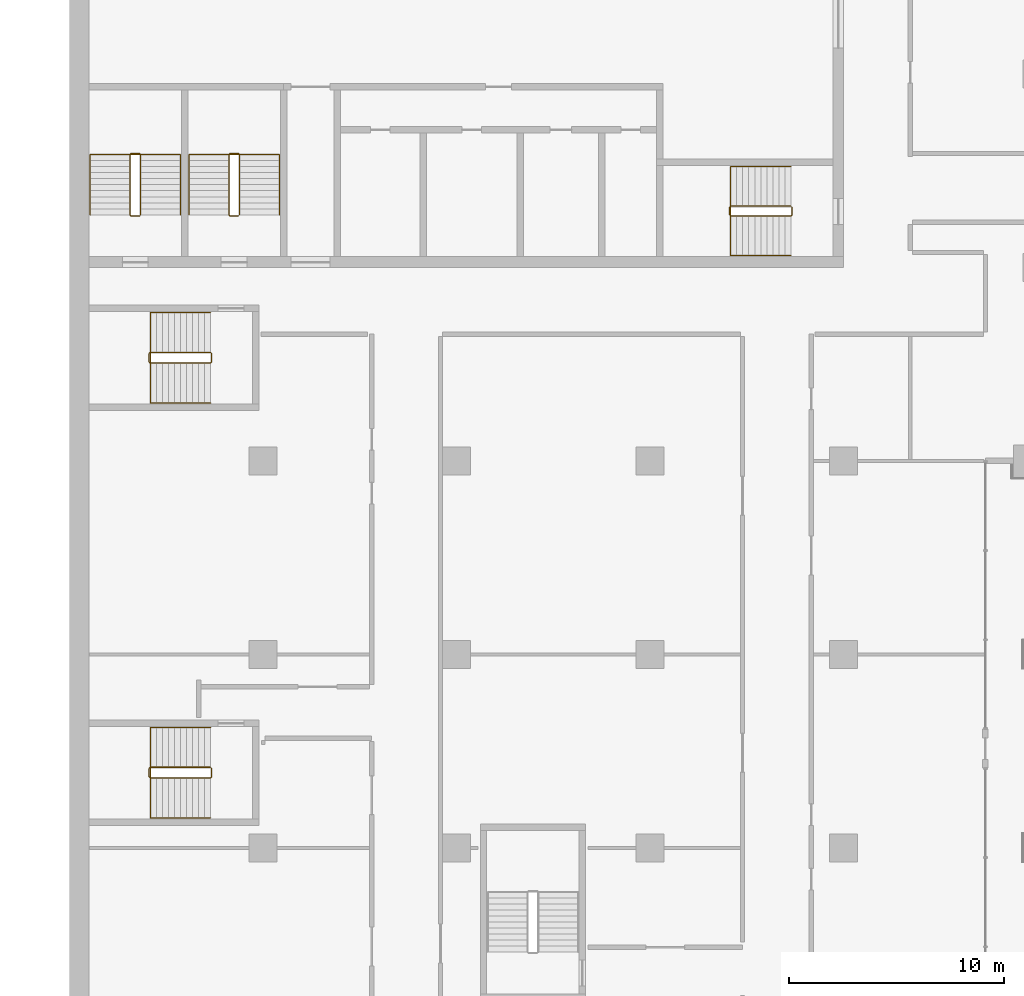
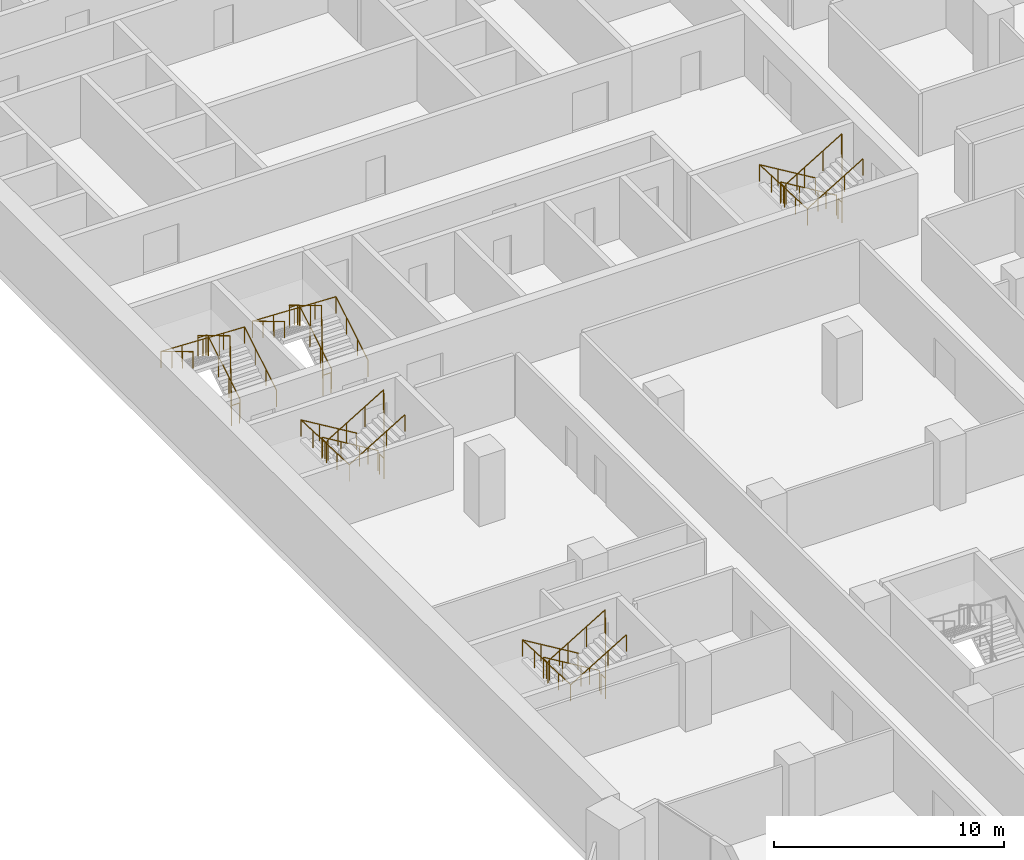
# One storey, part 21 of 23: 10 railings.
"""IFC4 building model written with IfcOpenShell, lengths in metres."""

from ifc_helpers import new_model, si_unit, direction, frame, origin, origin_2d, place, context, subcontext, project, spatial, circle, extrude, material, type_object, element, save


model = new_model("IFC4")

# Units and contexts
model_context = context("Model", 3, precision=1e-05, world=origin(), true_north=direction((0.0, 1.0)))
body_context = subcontext(model_context, "Body", "Model", "MODEL_VIEW")
ifc_project = project(units=[si_unit("LENGTHUNIT", "METRE"), si_unit("AREAUNIT", "SQUARE_METRE"), si_unit("VOLUMEUNIT", "CUBIC_METRE"), si_unit("PLANEANGLEUNIT", "RADIAN"), si_unit("MASSUNIT", "GRAM", prefix="KILO")], contexts=[model_context])

# Site, building, storey
site_placement = place(None, origin())
site = spatial("IfcSite", under=ifc_project, at=site_placement, CompositionType="ELEMENT")
building_placement = place(site_placement, origin())
building = spatial("IfcBuilding", under=site, at=building_placement, Name="Hunhe Ridgeline Campus", CompositionType="ELEMENT")
storey_placement = place(building_placement, frame((0.0, 0.0, 107.0)))
storey = spatial("IfcBuildingStorey", under=building, at=storey_placement, Name="L26", CompositionType="ELEMENT", Elevation=107.0)

# Railings
ifc_material_1 = material(Name="Stainless steel balustrade", Category="steel")
railing_type_1 = type_object("IfcRailingType", Name="Stair guard 1100 stainless", PredefinedType="GUARDRAIL", material=ifc_material_1)
railing_1_placement = place(storey_placement, frame((33.550048828125, 65.85009765625, 0.168212890625)))
element("IfcRailing", 1, at=railing_1_placement, inside=storey, type_object=railing_type_1, Name="L26 stair S2 guard", PredefinedType="GUARDRAIL", context=body_context, shape_type="SweptSolid", body=[
    extrude(circle(Radius=0.02392578125, at=origin_2d()), frame((0.0, 0.0, 1.076171875), z_axis=(-0.857242210791, 0.0, 0.514913383045), x_axis=(0.0, -1.0, 0.0)), (0.0, 0.0, 1.0), 3.266357421875),
    extrude(circle(Radius=0.02392578125, at=origin_2d()), frame((-2.800048828125, 0.0, 2.7578125), z_axis=(-0.707106781187, -0.707106781187, 0.0), x_axis=(0.707106781187, -0.707106781187, 0.0)), (0.0, 0.0, 1.0), 0.07080078125),
    extrude(circle(Radius=0.02392578125, at=origin_2d()), frame((-2.85009765625, -0.050048828125, 2.7578125), z_axis=(0.0, -1.0, 0.0), x_axis=(1.0, 0.0, 0.0)), (0.0, 0.0, 1.0), 0.35009765625),
    extrude(circle(Radius=0.02392578125, at=origin_2d()), frame((-2.85009765625, -0.400146484375, 2.7578125), z_axis=(0.274582412415, -0.274582412415, 0.921525364591), x_axis=(0.707106781187, 0.707106781187, 0.0)), (0.0, 0.0, 1.0), 0.182373046875),
    extrude(circle(Radius=0.02392578125, at=origin_2d()), frame((-2.800048828125, -0.4501953125, 2.92578125), z_axis=(0.857242210791, 0.0, 0.514913383045), x_axis=(0.0, 1.0, 0.0)), (0.0, 0.0, 1.0), 3.266357421875),
    extrude(circle(Radius=0.02392578125, at=origin_2d()), frame((0.0, -0.4501953125, 4.60791015625), z_axis=(0.013524414389, 0.013524414389, -0.999817073484), x_axis=(-0.707106781187, 0.707106781187, 0.0)), (0.0, 0.0, 1.0), 3.70068359375),
    extrude(circle(Radius=0.02392578125, at=origin_2d()), frame((0.050048828125, -0.400146484375, 0.90771484375), z_axis=(0.0, 1.0, 0.0), x_axis=(-1.0, 0.0, 0.0)), (0.0, 0.0, 1.0), 0.35009765625),
    extrude(circle(Radius=0.02099609375, at=origin_2d()), origin(), (0.0, 0.0, 1.0), 1.052001953125),
    extrude(circle(Radius=0.02099609375, at=origin_2d()), frame((-0.933349609375, 0.0, 0.560546875)), (0.0, 0.0, 1.0), 1.052001953125),
    extrude(circle(Radius=0.02099609375, at=origin_2d()), frame((-1.86669921875, 0.0, 1.121337890625)), (0.0, 0.0, 1.0), 1.052001953125),
    extrude(circle(Radius=0.02099609375, at=origin_2d()), frame((-2.800048828125, 0.0, 1.681884765625)), (0.0, 0.0, 1.0), 1.052001953125),
    extrude(circle(Radius=0.02099609375, at=origin_2d()), frame((-2.85009765625, -0.050048828125, 1.681884765625)), (0.0, 0.0, 1.0), 1.052001953125),
    extrude(circle(Radius=0.02099609375, at=origin_2d()), frame((-2.85009765625, -0.400146484375, 1.681884765625)), (0.0, 0.0, 1.0), 1.052001953125),
    extrude(circle(Radius=0.02099609375, at=origin_2d()), frame((-2.800048828125, -0.4501953125, 1.849853515625)), (0.0, 0.0, 1.0), 1.052001953125),
    extrude(circle(Radius=0.02099609375, at=origin_2d()), frame((-1.86669921875, -0.4501953125, 2.410400390625)), (0.0, 0.0, 1.0), 1.052001953125),
    extrude(circle(Radius=0.02099609375, at=origin_2d()), frame((-0.933349609375, -0.4501953125, 2.97119140625)), (0.0, 0.0, 1.0), 1.052001953125),
    extrude(circle(Radius=0.02099609375, at=origin_2d()), frame((0.0, -0.4501953125, 3.53173828125)), (0.0, 0.0, 1.0), 1.052001953125),
    extrude(circle(Radius=0.02099609375, at=origin_2d()), frame((0.012451171875, -0.437744140625, 2.606689453125)), (0.0, 0.0, 1.0), 1.052001953125),
    extrude(circle(Radius=0.02099609375, at=origin_2d()), frame((0.02490234375, -0.42529296875, 1.681640625)), (0.0, 0.0, 1.0), 1.052001953125),
    extrude(circle(Radius=0.02099609375, at=origin_2d()), frame((0.03759765625, -0.41259765625, 0.7568359375)), (0.0, 0.0, 1.0), 1.052001953125),
    extrude(circle(Radius=0.02099609375, at=origin_2d()), frame((0.050048828125, -0.400146484375, -0.168212890625)), (0.0, 0.0, 1.0), 1.052001953125),
    extrude(circle(Radius=0.02099609375, at=origin_2d()), frame((0.050048828125, -0.050048828125, -0.168212890625)), (0.0, 0.0, 1.0), 1.052001953125),
])
railing_2_placement = place(storey_placement, frame((3.300048828125, 65.449951171875, 0.168212890625)))
element("IfcRailing", 2, at=railing_2_placement, inside=storey, type_object=railing_type_1, Name="L26 stair S3 guard", PredefinedType="GUARDRAIL", context=body_context, shape_type="SweptSolid", body=[
    extrude(circle(Radius=0.02392578125, at=origin_2d()), frame((0.0, 0.0, 1.076171875), z_axis=(0.0, 0.857242210791, 0.514913383045), x_axis=(-1.0, 0.0, 0.0)), (0.0, 0.0, 1.0), 3.266357421875),
    extrude(circle(Radius=0.02392578125, at=origin_2d()), frame((0.0, 2.800048828125, 2.7578125), z_axis=(-0.707106781187, 0.707106781187, 0.0), x_axis=(-0.707106781187, -0.707106781187, 0.0)), (0.0, 0.0, 1.0), 0.07080078125),
    extrude(circle(Radius=0.02392578125, at=origin_2d()), frame((-0.050048828125, 2.85009765625, 2.7578125), z_axis=(-1.0, 0.0, 0.0), x_axis=(0.0, -1.0, 0.0)), (0.0, 0.0, 1.0), 0.39990234375),
    extrude(circle(Radius=0.02392578125, at=origin_2d()), frame((-0.449951171875, 2.85009765625, 2.7578125), z_axis=(-0.274582412415, -0.274582412415, 0.921525364591), x_axis=(0.707106781187, -0.707106781187, 0.0)), (0.0, 0.0, 1.0), 0.182373046875),
    extrude(circle(Radius=0.02392578125, at=origin_2d()), frame((-0.5, 2.800048828125, 2.92578125), z_axis=(0.0, -0.857242210791, 0.514913383045), x_axis=(1.0, 0.0, 0.0)), (0.0, 0.0, 1.0), 3.266357421875),
    extrude(circle(Radius=0.02392578125, at=origin_2d()), frame((-0.5, 0.0, 4.60791015625), z_axis=(0.013524414389, -0.013524414389, -0.999817073484), x_axis=(0.707106781187, 0.707106781187, 0.0)), (0.0, 0.0, 1.0), 3.70068359375),
    extrude(circle(Radius=0.02392578125, at=origin_2d()), frame((-0.449951171875, -0.050048828125, 0.90771484375), z_axis=(1.0, 0.0, 0.0), x_axis=(0.0, 1.0, 0.0)), (0.0, 0.0, 1.0), 0.39990234375),
    extrude(circle(Radius=0.02099609375, at=origin_2d()), origin(), (0.0, 0.0, 1.0), 1.052001953125),
    extrude(circle(Radius=0.02099609375, at=origin_2d()), frame((0.0, 0.933349609375, 0.560546875)), (0.0, 0.0, 1.0), 1.052001953125),
    extrude(circle(Radius=0.02099609375, at=origin_2d()), frame((0.0, 1.86669921875, 1.121337890625)), (0.0, 0.0, 1.0), 1.052001953125),
    extrude(circle(Radius=0.02099609375, at=origin_2d()), frame((0.0, 2.800048828125, 1.681884765625)), (0.0, 0.0, 1.0), 1.052001953125),
    extrude(circle(Radius=0.02099609375, at=origin_2d()), frame((-0.050048828125, 2.85009765625, 1.681884765625)), (0.0, 0.0, 1.0), 1.052001953125),
    extrude(circle(Radius=0.02099609375, at=origin_2d()), frame((-0.449951171875, 2.85009765625, 1.681884765625)), (0.0, 0.0, 1.0), 1.052001953125),
    extrude(circle(Radius=0.02099609375, at=origin_2d()), frame((-0.5, 2.800048828125, 1.849853515625)), (0.0, 0.0, 1.0), 1.052001953125),
    extrude(circle(Radius=0.02099609375, at=origin_2d()), frame((-0.5, 1.86669921875, 2.410400390625)), (0.0, 0.0, 1.0), 1.052001953125),
    extrude(circle(Radius=0.02099609375, at=origin_2d()), frame((-0.5, 0.933349609375, 2.97119140625)), (0.0, 0.0, 1.0), 1.052001953125),
    extrude(circle(Radius=0.02099609375, at=origin_2d()), frame((-0.5, 0.0, 3.53173828125)), (0.0, 0.0, 1.0), 1.052001953125),
    extrude(circle(Radius=0.02099609375, at=origin_2d()), frame((-0.487548828125, -0.012451171875, 2.606689453125)), (0.0, 0.0, 1.0), 1.052001953125),
    extrude(circle(Radius=0.02099609375, at=origin_2d()), frame((-0.47509765625, -0.02490234375, 1.681640625)), (0.0, 0.0, 1.0), 1.052001953125),
    extrude(circle(Radius=0.02099609375, at=origin_2d()), frame((-0.46240234375, -0.03759765625, 0.7568359375)), (0.0, 0.0, 1.0), 1.052001953125),
    extrude(circle(Radius=0.02099609375, at=origin_2d()), frame((-0.449951171875, -0.050048828125, -0.168212890625)), (0.0, 0.0, 1.0), 1.052001953125),
    extrude(circle(Radius=0.02099609375, at=origin_2d()), frame((-0.050048828125, -0.050048828125, -0.168212890625)), (0.0, 0.0, 1.0), 1.052001953125),
])
railing_3_placement = place(storey_placement, frame((7.89990234375, 65.449951171875, 0.168212890625)))
element("IfcRailing", 3, at=railing_3_placement, inside=storey, type_object=railing_type_1, Name="L26 stair S4 guard", PredefinedType="GUARDRAIL", context=body_context, shape_type="SweptSolid", body=[
    extrude(circle(Radius=0.02392578125, at=origin_2d()), frame((0.0, 0.0, 1.076171875), z_axis=(0.0, 0.857242210791, 0.514913383045), x_axis=(-1.0, 0.0, 0.0)), (0.0, 0.0, 1.0), 3.266357421875),
    extrude(circle(Radius=0.02392578125, at=origin_2d()), frame((0.0, 2.800048828125, 2.7578125), z_axis=(-0.705375805398, 0.708833529934, 0.0), x_axis=(-0.708833529934, -0.705375805398, 0.0)), (0.0, 0.0, 1.0), 0.070556640625),
    extrude(circle(Radius=0.02392578125, at=origin_2d()), frame((-0.0498046875, 2.85009765625, 2.7578125), z_axis=(-1.0, 0.0, 0.0), x_axis=(0.0, -1.0, 0.0)), (0.0, 0.0, 1.0), 0.400146484375),
    extrude(circle(Radius=0.02392578125, at=origin_2d()), frame((-0.449951171875, 2.85009765625, 2.7578125), z_axis=(-0.274582412415, -0.274582412415, 0.921525364591), x_axis=(0.707106781187, -0.707106781187, 0.0)), (0.0, 0.0, 1.0), 0.182373046875),
    extrude(circle(Radius=0.02392578125, at=origin_2d()), frame((-0.5, 2.800048828125, 2.92578125), z_axis=(0.0, -0.857242210791, 0.514913383045), x_axis=(1.0, 0.0, 0.0)), (0.0, 0.0, 1.0), 3.266357421875),
    extrude(circle(Radius=0.02392578125, at=origin_2d()), frame((-0.5, 0.0, 4.60791015625), z_axis=(0.013524414389, -0.013524414389, -0.999817073484), x_axis=(0.707106781187, 0.707106781187, 0.0)), (0.0, 0.0, 1.0), 3.70068359375),
    extrude(circle(Radius=0.02392578125, at=origin_2d()), frame((-0.449951171875, -0.050048828125, 0.90771484375), z_axis=(1.0, 0.0, 0.0), x_axis=(0.0, 1.0, 0.0)), (0.0, 0.0, 1.0), 0.400146484375),
    extrude(circle(Radius=0.02099609375, at=origin_2d()), origin(), (0.0, 0.0, 1.0), 1.052001953125),
    extrude(circle(Radius=0.02099609375, at=origin_2d()), frame((0.0, 0.933349609375, 0.560546875)), (0.0, 0.0, 1.0), 1.052001953125),
    extrude(circle(Radius=0.02099609375, at=origin_2d()), frame((0.0, 1.86669921875, 1.121337890625)), (0.0, 0.0, 1.0), 1.052001953125),
    extrude(circle(Radius=0.02099609375, at=origin_2d()), frame((0.0, 2.800048828125, 1.681884765625)), (0.0, 0.0, 1.0), 1.052001953125),
    extrude(circle(Radius=0.02099609375, at=origin_2d()), frame((-0.0498046875, 2.85009765625, 1.681884765625)), (0.0, 0.0, 1.0), 1.052001953125),
    extrude(circle(Radius=0.02099609375, at=origin_2d()), frame((-0.449951171875, 2.85009765625, 1.681884765625)), (0.0, 0.0, 1.0), 1.052001953125),
    extrude(circle(Radius=0.02099609375, at=origin_2d()), frame((-0.5, 2.800048828125, 1.849853515625)), (0.0, 0.0, 1.0), 1.052001953125),
    extrude(circle(Radius=0.02099609375, at=origin_2d()), frame((-0.5, 1.86669921875, 2.410400390625)), (0.0, 0.0, 1.0), 1.052001953125),
    extrude(circle(Radius=0.02099609375, at=origin_2d()), frame((-0.5, 0.933349609375, 2.97119140625)), (0.0, 0.0, 1.0), 1.052001953125),
    extrude(circle(Radius=0.02099609375, at=origin_2d()), frame((-0.5, 0.0, 3.53173828125)), (0.0, 0.0, 1.0), 1.052001953125),
    extrude(circle(Radius=0.02099609375, at=origin_2d()), frame((-0.487548828125, -0.012451171875, 2.606689453125)), (0.0, 0.0, 1.0), 1.052001953125),
    extrude(circle(Radius=0.02099609375, at=origin_2d()), frame((-0.47509765625, -0.02490234375, 1.681640625)), (0.0, 0.0, 1.0), 1.052001953125),
    extrude(circle(Radius=0.02099609375, at=origin_2d()), frame((-0.46240234375, -0.03759765625, 0.7568359375)), (0.0, 0.0, 1.0), 1.052001953125),
    extrude(circle(Radius=0.02099609375, at=origin_2d()), frame((-0.449951171875, -0.050048828125, -0.168212890625)), (0.0, 0.0, 1.0), 1.052001953125),
    extrude(circle(Radius=0.02099609375, at=origin_2d()), frame((-0.0498046875, -0.050048828125, -0.168212890625)), (0.0, 0.0, 1.0), 1.052001953125),
])
railing_4_placement = place(storey_placement, frame((6.550048828125, 39.75, 0.168212890625)))
element("IfcRailing", 4, at=railing_4_placement, inside=storey, type_object=railing_type_1, Name="L26 stair W1 guard", PredefinedType="GUARDRAIL", context=body_context, shape_type="SweptSolid", body=[
    extrude(circle(Radius=0.02392578125, at=origin_2d()), frame((0.0, 0.0, 1.076171875), z_axis=(-0.857242210791, 0.0, 0.514913383045), x_axis=(0.0, -1.0, 0.0)), (0.0, 0.0, 1.0), 3.266357421875),
    extrude(circle(Radius=0.02392578125, at=origin_2d()), frame((-2.800048828125, 0.0, 2.7578125), z_axis=(-0.707106781187, -0.707106781187, 0.0), x_axis=(0.707106781187, -0.707106781187, 0.0)), (0.0, 0.0, 1.0), 0.07080078125),
    extrude(circle(Radius=0.02392578125, at=origin_2d()), frame((-2.85009765625, -0.050048828125, 2.7578125), z_axis=(0.0, -1.0, 0.0), x_axis=(1.0, 0.0, 0.0)), (0.0, 0.0, 1.0), 0.39990234375),
    extrude(circle(Radius=0.02392578125, at=origin_2d()), frame((-2.85009765625, -0.449951171875, 2.7578125), z_axis=(0.274582412415, -0.274582412415, 0.921525364591), x_axis=(0.707106781187, 0.707106781187, 0.0)), (0.0, 0.0, 1.0), 0.182373046875),
    extrude(circle(Radius=0.02392578125, at=origin_2d()), frame((-2.800048828125, -0.5, 2.92578125), z_axis=(0.857242210791, 0.0, 0.514913383045), x_axis=(0.0, 1.0, 0.0)), (0.0, 0.0, 1.0), 3.266357421875),
    extrude(circle(Radius=0.02392578125, at=origin_2d()), frame((0.0, -0.5, 4.60791015625), z_axis=(0.013524414389, 0.013524414389, -0.999817073484), x_axis=(-0.707106781187, 0.707106781187, 0.0)), (0.0, 0.0, 1.0), 3.70068359375),
    extrude(circle(Radius=0.02392578125, at=origin_2d()), frame((0.050048828125, -0.449951171875, 0.90771484375), z_axis=(0.0, 1.0, 0.0), x_axis=(-1.0, 0.0, 0.0)), (0.0, 0.0, 1.0), 0.39990234375),
    extrude(circle(Radius=0.02099609375, at=origin_2d()), origin(), (0.0, 0.0, 1.0), 1.052001953125),
    extrude(circle(Radius=0.02099609375, at=origin_2d()), frame((-0.933349609375, 0.0, 0.560546875)), (0.0, 0.0, 1.0), 1.052001953125),
    extrude(circle(Radius=0.02099609375, at=origin_2d()), frame((-1.86669921875, 0.0, 1.121337890625)), (0.0, 0.0, 1.0), 1.052001953125),
    extrude(circle(Radius=0.02099609375, at=origin_2d()), frame((-2.800048828125, 0.0, 1.681884765625)), (0.0, 0.0, 1.0), 1.052001953125),
    extrude(circle(Radius=0.02099609375, at=origin_2d()), frame((-2.85009765625, -0.050048828125, 1.681884765625)), (0.0, 0.0, 1.0), 1.052001953125),
    extrude(circle(Radius=0.02099609375, at=origin_2d()), frame((-2.85009765625, -0.449951171875, 1.681884765625)), (0.0, 0.0, 1.0), 1.052001953125),
    extrude(circle(Radius=0.02099609375, at=origin_2d()), frame((-2.800048828125, -0.5, 1.849853515625)), (0.0, 0.0, 1.0), 1.052001953125),
    extrude(circle(Radius=0.02099609375, at=origin_2d()), frame((-1.86669921875, -0.5, 2.410400390625)), (0.0, 0.0, 1.0), 1.052001953125),
    extrude(circle(Radius=0.02099609375, at=origin_2d()), frame((-0.933349609375, -0.5, 2.97119140625)), (0.0, 0.0, 1.0), 1.052001953125),
    extrude(circle(Radius=0.02099609375, at=origin_2d()), frame((0.0, -0.5, 3.53173828125)), (0.0, 0.0, 1.0), 1.052001953125),
    extrude(circle(Radius=0.02099609375, at=origin_2d()), frame((0.012451171875, -0.487548828125, 2.606689453125)), (0.0, 0.0, 1.0), 1.052001953125),
    extrude(circle(Radius=0.02099609375, at=origin_2d()), frame((0.02490234375, -0.47509765625, 1.681640625)), (0.0, 0.0, 1.0), 1.052001953125),
    extrude(circle(Radius=0.02099609375, at=origin_2d()), frame((0.03759765625, -0.46240234375, 0.7568359375)), (0.0, 0.0, 1.0), 1.052001953125),
    extrude(circle(Radius=0.02099609375, at=origin_2d()), frame((0.050048828125, -0.449951171875, -0.168212890625)), (0.0, 0.0, 1.0), 1.052001953125),
    extrude(circle(Radius=0.02099609375, at=origin_2d()), frame((0.050048828125, -0.050048828125, -0.168212890625)), (0.0, 0.0, 1.0), 1.052001953125),
])
railing_5_placement = place(storey_placement, frame((6.550048828125, 59.050048828125, 0.168212890625)))
element("IfcRailing", 5, at=railing_5_placement, inside=storey, type_object=railing_type_1, Name="L26 stair W2 guard", PredefinedType="GUARDRAIL", context=body_context, shape_type="SweptSolid", body=[
    extrude(circle(Radius=0.02392578125, at=origin_2d()), frame((0.0, 0.0, 1.076171875), z_axis=(-0.857242210791, 0.0, 0.514913383045), x_axis=(0.0, -1.0, 0.0)), (0.0, 0.0, 1.0), 3.266357421875),
    extrude(circle(Radius=0.02392578125, at=origin_2d()), frame((-2.800048828125, 0.0, 2.7578125), z_axis=(-0.707106781187, -0.707106781187, 0.0), x_axis=(0.707106781187, -0.707106781187, 0.0)), (0.0, 0.0, 1.0), 0.07080078125),
    extrude(circle(Radius=0.02392578125, at=origin_2d()), frame((-2.85009765625, -0.050048828125, 2.7578125), z_axis=(0.0, -1.0, 0.0), x_axis=(1.0, 0.0, 0.0)), (0.0, 0.0, 1.0), 0.39990234375),
    extrude(circle(Radius=0.02392578125, at=origin_2d()), frame((-2.85009765625, -0.449951171875, 2.7578125), z_axis=(0.274582412415, -0.274582412415, 0.921525364591), x_axis=(0.707106781187, 0.707106781187, 0.0)), (0.0, 0.0, 1.0), 0.182373046875),
    extrude(circle(Radius=0.02392578125, at=origin_2d()), frame((-2.800048828125, -0.5, 2.92578125), z_axis=(0.857242210791, 0.0, 0.514913383045), x_axis=(0.0, 1.0, 0.0)), (0.0, 0.0, 1.0), 3.266357421875),
    extrude(circle(Radius=0.02392578125, at=origin_2d()), frame((0.0, -0.5, 4.60791015625), z_axis=(0.013524414389, 0.013524414389, -0.999817073484), x_axis=(-0.707106781187, 0.707106781187, 0.0)), (0.0, 0.0, 1.0), 3.70068359375),
    extrude(circle(Radius=0.02392578125, at=origin_2d()), frame((0.050048828125, -0.449951171875, 0.90771484375), z_axis=(0.0, 1.0, 0.0), x_axis=(-1.0, 0.0, 0.0)), (0.0, 0.0, 1.0), 0.39990234375),
    extrude(circle(Radius=0.02099609375, at=origin_2d()), origin(), (0.0, 0.0, 1.0), 1.052001953125),
    extrude(circle(Radius=0.02099609375, at=origin_2d()), frame((-0.933349609375, 0.0, 0.560546875)), (0.0, 0.0, 1.0), 1.052001953125),
    extrude(circle(Radius=0.02099609375, at=origin_2d()), frame((-1.86669921875, 0.0, 1.121337890625)), (0.0, 0.0, 1.0), 1.052001953125),
    extrude(circle(Radius=0.02099609375, at=origin_2d()), frame((-2.800048828125, 0.0, 1.681884765625)), (0.0, 0.0, 1.0), 1.052001953125),
    extrude(circle(Radius=0.02099609375, at=origin_2d()), frame((-2.85009765625, -0.050048828125, 1.681884765625)), (0.0, 0.0, 1.0), 1.052001953125),
    extrude(circle(Radius=0.02099609375, at=origin_2d()), frame((-2.85009765625, -0.449951171875, 1.681884765625)), (0.0, 0.0, 1.0), 1.052001953125),
    extrude(circle(Radius=0.02099609375, at=origin_2d()), frame((-2.800048828125, -0.5, 1.849853515625)), (0.0, 0.0, 1.0), 1.052001953125),
    extrude(circle(Radius=0.02099609375, at=origin_2d()), frame((-1.86669921875, -0.5, 2.410400390625)), (0.0, 0.0, 1.0), 1.052001953125),
    extrude(circle(Radius=0.02099609375, at=origin_2d()), frame((-0.933349609375, -0.5, 2.97119140625)), (0.0, 0.0, 1.0), 1.052001953125),
    extrude(circle(Radius=0.02099609375, at=origin_2d()), frame((0.0, -0.5, 3.53173828125)), (0.0, 0.0, 1.0), 1.052001953125),
    extrude(circle(Radius=0.02099609375, at=origin_2d()), frame((0.012451171875, -0.487548828125, 2.606689453125)), (0.0, 0.0, 1.0), 1.052001953125),
    extrude(circle(Radius=0.02099609375, at=origin_2d()), frame((0.02490234375, -0.47509765625, 1.681640625)), (0.0, 0.0, 1.0), 1.052001953125),
    extrude(circle(Radius=0.02099609375, at=origin_2d()), frame((0.03759765625, -0.46240234375, 0.7568359375)), (0.0, 0.0, 1.0), 1.052001953125),
    extrude(circle(Radius=0.02099609375, at=origin_2d()), frame((0.050048828125, -0.449951171875, -0.168212890625)), (0.0, 0.0, 1.0), 1.052001953125),
    extrude(circle(Radius=0.02099609375, at=origin_2d()), frame((0.050048828125, -0.050048828125, -0.168212890625)), (0.0, 0.0, 1.0), 1.052001953125),
])
ifc_material_2 = material(Name="Stainless steel handrail", Category="steel")
railing_type_2 = type_object("IfcRailingType", Name="Stair handrail 900 stainless", PredefinedType="HANDRAIL", material=ifc_material_2)
railing_6_placement = place(storey_placement, frame((33.550048828125, 67.699951171875, 0.168212890625)))
element("IfcRailing", 6, at=railing_6_placement, inside=storey, type_object=railing_type_2, Name="L26 stair S2 handrail", PredefinedType="HANDRAIL", context=body_context, shape_type="SweptSolid", body=[
    extrude(circle(Radius=0.02392578125, at=origin_2d()), frame((0.0, 0.0, 0.8759765625), z_axis=(-0.857242210791, 0.0, 0.514913383045), x_axis=(0.0, -1.0, 0.0)), (0.0, 0.0, 1.0), 3.266357421875),
    extrude(circle(Radius=0.02392578125, at=origin_2d()), frame((-2.800048828125, 0.0, 2.5576171875), z_axis=(0.0, -0.999181878101, 0.040442236271), x_axis=(1.0, 0.0, 0.0)), (0.0, 0.0, 1.0), 4.1533203125),
    extrude(circle(Radius=0.02392578125, at=origin_2d()), frame((-2.800048828125, -4.14990234375, 2.7255859375), z_axis=(0.857242210791, 0.0, 0.514913383045), x_axis=(0.0, 1.0, 0.0)), (0.0, 0.0, 1.0), 3.266357421875),
    extrude(circle(Radius=0.02099609375, at=origin_2d()), origin(), (0.0, 0.0, 1.0), 0.851806640625),
    extrude(circle(Radius=0.02099609375, at=origin_2d()), frame((-0.933349609375, 0.0, 0.560546875)), (0.0, 0.0, 1.0), 0.851806640625),
    extrude(circle(Radius=0.02099609375, at=origin_2d()), frame((-1.86669921875, 0.0, 1.121337890625)), (0.0, 0.0, 1.0), 0.851806640625),
    extrude(circle(Radius=0.02099609375, at=origin_2d()), frame((-2.800048828125, 0.0, 1.681884765625)), (0.0, 0.0, 1.0), 0.851806640625),
    extrude(circle(Radius=0.02099609375, at=origin_2d()), frame((-2.800048828125, -1.03759765625, 1.723876953125)), (0.0, 0.0, 1.0), 0.851806640625),
    extrude(circle(Radius=0.02099609375, at=origin_2d()), frame((-2.800048828125, -2.074951171875, 1.765869140625)), (0.0, 0.0, 1.0), 0.851806640625),
    extrude(circle(Radius=0.02099609375, at=origin_2d()), frame((-2.800048828125, -3.1123046875, 1.807861328125)), (0.0, 0.0, 1.0), 0.851806640625),
    extrude(circle(Radius=0.02099609375, at=origin_2d()), frame((-2.800048828125, -4.14990234375, 1.849853515625)), (0.0, 0.0, 1.0), 0.851806640625),
    extrude(circle(Radius=0.02099609375, at=origin_2d()), frame((-1.86669921875, -4.14990234375, 2.410400390625)), (0.0, 0.0, 1.0), 0.851806640625),
    extrude(circle(Radius=0.02099609375, at=origin_2d()), frame((-0.933349609375, -4.14990234375, 2.97119140625)), (0.0, 0.0, 1.0), 0.851806640625),
    extrude(circle(Radius=0.02099609375, at=origin_2d()), frame((0.0, -4.14990234375, 3.53173828125)), (0.0, 0.0, 1.0), 0.851806640625),
])
railing_7_placement = place(storey_placement, frame((5.14990234375, 65.449951171875, 0.168212890625)))
element("IfcRailing", 7, at=railing_7_placement, inside=storey, type_object=railing_type_2, Name="L26 stair S3 handrail", PredefinedType="HANDRAIL", context=body_context, shape_type="SweptSolid", body=[
    extrude(circle(Radius=0.02392578125, at=origin_2d()), frame((0.0, 0.0, 0.8759765625), z_axis=(0.0, 0.857242210791, 0.514913383045), x_axis=(-1.0, 0.0, 0.0)), (0.0, 0.0, 1.0), 3.266357421875),
    extrude(circle(Radius=0.02392578125, at=origin_2d()), frame((0.0, 2.800048828125, 2.5576171875), z_axis=(-0.99920123705, 0.0, 0.039961079526), x_axis=(0.0, -1.0, 0.0)), (0.0, 0.0, 1.0), 4.203369140625),
    extrude(circle(Radius=0.02392578125, at=origin_2d()), frame((-4.199951171875, 2.800048828125, 2.7255859375), z_axis=(0.0, -0.857242210791, 0.514913383045), x_axis=(1.0, 0.0, 0.0)), (0.0, 0.0, 1.0), 3.266357421875),
    extrude(circle(Radius=0.02099609375, at=origin_2d()), origin(), (0.0, 0.0, 1.0), 0.851806640625),
    extrude(circle(Radius=0.02099609375, at=origin_2d()), frame((0.0, 0.933349609375, 0.560546875)), (0.0, 0.0, 1.0), 0.851806640625),
    extrude(circle(Radius=0.02099609375, at=origin_2d()), frame((0.0, 1.86669921875, 1.121337890625)), (0.0, 0.0, 1.0), 0.851806640625),
    extrude(circle(Radius=0.02099609375, at=origin_2d()), frame((0.0, 2.800048828125, 1.681884765625)), (0.0, 0.0, 1.0), 0.851806640625),
    extrude(circle(Radius=0.02099609375, at=origin_2d()), frame((-1.050048828125, 2.800048828125, 1.723876953125)), (0.0, 0.0, 1.0), 0.851806640625),
    extrude(circle(Radius=0.02099609375, at=origin_2d()), frame((-2.10009765625, 2.800048828125, 1.765869140625)), (0.0, 0.0, 1.0), 0.851806640625),
    extrude(circle(Radius=0.02099609375, at=origin_2d()), frame((-3.14990234375, 2.800048828125, 1.807861328125)), (0.0, 0.0, 1.0), 0.851806640625),
    extrude(circle(Radius=0.02099609375, at=origin_2d()), frame((-4.199951171875, 2.800048828125, 1.849853515625)), (0.0, 0.0, 1.0), 0.851806640625),
    extrude(circle(Radius=0.02099609375, at=origin_2d()), frame((-4.199951171875, 1.86669921875, 2.410400390625)), (0.0, 0.0, 1.0), 0.851806640625),
    extrude(circle(Radius=0.02099609375, at=origin_2d()), frame((-4.199951171875, 0.933349609375, 2.97119140625)), (0.0, 0.0, 1.0), 0.851806640625),
    extrude(circle(Radius=0.02099609375, at=origin_2d()), frame((-4.199951171875, 0.0, 3.53173828125)), (0.0, 0.0, 1.0), 0.851806640625),
])
railing_8_placement = place(storey_placement, frame((9.75, 65.449951171875, 0.168212890625)))
element("IfcRailing", 8, at=railing_8_placement, inside=storey, type_object=railing_type_2, Name="L26 stair S4 handrail", PredefinedType="HANDRAIL", context=body_context, shape_type="SweptSolid", body=[
    extrude(circle(Radius=0.02392578125, at=origin_2d()), frame((0.0, 0.0, 0.8759765625), z_axis=(0.0, 0.857242210791, 0.514913383045), x_axis=(-1.0, 0.0, 0.0)), (0.0, 0.0, 1.0), 3.266357421875),
    extrude(circle(Radius=0.02392578125, at=origin_2d()), frame((0.0, 2.800048828125, 2.5576171875), z_axis=(-0.99920123705, 0.0, 0.039961079526), x_axis=(0.0, -1.0, 0.0)), (0.0, 0.0, 1.0), 4.203369140625),
    extrude(circle(Radius=0.02392578125, at=origin_2d()), frame((-4.199951171875, 2.800048828125, 2.7255859375), z_axis=(0.0, -0.857242210791, 0.514913383045), x_axis=(1.0, 0.0, 0.0)), (0.0, 0.0, 1.0), 3.266357421875),
    extrude(circle(Radius=0.02099609375, at=origin_2d()), origin(), (0.0, 0.0, 1.0), 0.851806640625),
    extrude(circle(Radius=0.02099609375, at=origin_2d()), frame((0.0, 0.933349609375, 0.560546875)), (0.0, 0.0, 1.0), 0.851806640625),
    extrude(circle(Radius=0.02099609375, at=origin_2d()), frame((0.0, 1.86669921875, 1.121337890625)), (0.0, 0.0, 1.0), 0.851806640625),
    extrude(circle(Radius=0.02099609375, at=origin_2d()), frame((0.0, 2.800048828125, 1.681884765625)), (0.0, 0.0, 1.0), 0.851806640625),
    extrude(circle(Radius=0.02099609375, at=origin_2d()), frame((-1.050048828125, 2.800048828125, 1.723876953125)), (0.0, 0.0, 1.0), 0.851806640625),
    extrude(circle(Radius=0.02099609375, at=origin_2d()), frame((-2.10009765625, 2.800048828125, 1.765869140625)), (0.0, 0.0, 1.0), 0.851806640625),
    extrude(circle(Radius=0.02099609375, at=origin_2d()), frame((-3.14990234375, 2.800048828125, 1.807861328125)), (0.0, 0.0, 1.0), 0.851806640625),
    extrude(circle(Radius=0.02099609375, at=origin_2d()), frame((-4.199951171875, 2.800048828125, 1.849853515625)), (0.0, 0.0, 1.0), 0.851806640625),
    extrude(circle(Radius=0.02099609375, at=origin_2d()), frame((-4.199951171875, 1.86669921875, 2.410400390625)), (0.0, 0.0, 1.0), 0.851806640625),
    extrude(circle(Radius=0.02099609375, at=origin_2d()), frame((-4.199951171875, 0.933349609375, 2.97119140625)), (0.0, 0.0, 1.0), 0.851806640625),
    extrude(circle(Radius=0.02099609375, at=origin_2d()), frame((-4.199951171875, 0.0, 3.53173828125)), (0.0, 0.0, 1.0), 0.851806640625),
])
railing_9_placement = place(storey_placement, frame((6.550048828125, 41.60009765625, 0.168212890625)))
element("IfcRailing", 9, at=railing_9_placement, inside=storey, type_object=railing_type_2, Name="L26 stair W1 handrail", PredefinedType="HANDRAIL", context=body_context, shape_type="SweptSolid", body=[
    extrude(circle(Radius=0.02392578125, at=origin_2d()), frame((0.0, 0.0, 0.8759765625), z_axis=(-0.857242210791, 0.0, 0.514913383045), x_axis=(0.0, -1.0, 0.0)), (0.0, 0.0, 1.0), 3.266357421875),
    extrude(circle(Radius=0.02392578125, at=origin_2d()), frame((-2.800048828125, 0.0, 2.5576171875), z_axis=(0.0, -0.999201329794, 0.039958760457), x_axis=(1.0, 0.0, 0.0)), (0.0, 0.0, 1.0), 4.20361328125),
    extrude(circle(Radius=0.02392578125, at=origin_2d()), frame((-2.800048828125, -4.2001953125, 2.7255859375), z_axis=(0.857242210791, 0.0, 0.514913383045), x_axis=(0.0, 1.0, 0.0)), (0.0, 0.0, 1.0), 3.266357421875),
    extrude(circle(Radius=0.02099609375, at=origin_2d()), origin(), (0.0, 0.0, 1.0), 0.851806640625),
    extrude(circle(Radius=0.02099609375, at=origin_2d()), frame((-0.933349609375, 0.0, 0.560546875)), (0.0, 0.0, 1.0), 0.851806640625),
    extrude(circle(Radius=0.02099609375, at=origin_2d()), frame((-1.86669921875, 0.0, 1.121337890625)), (0.0, 0.0, 1.0), 0.851806640625),
    extrude(circle(Radius=0.02099609375, at=origin_2d()), frame((-2.800048828125, 0.0, 1.681884765625)), (0.0, 0.0, 1.0), 0.851806640625),
    extrude(circle(Radius=0.02099609375, at=origin_2d()), frame((-2.800048828125, -1.050048828125, 1.723876953125)), (0.0, 0.0, 1.0), 0.851806640625),
    extrude(circle(Radius=0.02099609375, at=origin_2d()), frame((-2.800048828125, -2.10009765625, 1.765869140625)), (0.0, 0.0, 1.0), 0.851806640625),
    extrude(circle(Radius=0.02099609375, at=origin_2d()), frame((-2.800048828125, -3.150146484375, 1.807861328125)), (0.0, 0.0, 1.0), 0.851806640625),
    extrude(circle(Radius=0.02099609375, at=origin_2d()), frame((-2.800048828125, -4.2001953125, 1.849853515625)), (0.0, 0.0, 1.0), 0.851806640625),
    extrude(circle(Radius=0.02099609375, at=origin_2d()), frame((-1.86669921875, -4.2001953125, 2.410400390625)), (0.0, 0.0, 1.0), 0.851806640625),
    extrude(circle(Radius=0.02099609375, at=origin_2d()), frame((-0.933349609375, -4.2001953125, 2.97119140625)), (0.0, 0.0, 1.0), 0.851806640625),
    extrude(circle(Radius=0.02099609375, at=origin_2d()), frame((0.0, -4.2001953125, 3.53173828125)), (0.0, 0.0, 1.0), 0.851806640625),
])
railing_10_placement = place(storey_placement, frame((6.550048828125, 60.89990234375, 0.168212890625)))
element("IfcRailing", 10, at=railing_10_placement, inside=storey, type_object=railing_type_2, Name="L26 stair W2 handrail", PredefinedType="HANDRAIL", context=body_context, shape_type="SweptSolid", body=[
    extrude(circle(Radius=0.02392578125, at=origin_2d()), frame((0.0, 0.0, 0.8759765625), z_axis=(-0.857242210791, 0.0, 0.514913383045), x_axis=(0.0, -1.0, 0.0)), (0.0, 0.0, 1.0), 3.266357421875),
    extrude(circle(Radius=0.02392578125, at=origin_2d()), frame((-2.800048828125, 0.0, 2.5576171875), z_axis=(0.0, -0.99920123705, 0.039961079526), x_axis=(1.0, 0.0, 0.0)), (0.0, 0.0, 1.0), 4.203369140625),
    extrude(circle(Radius=0.02392578125, at=origin_2d()), frame((-2.800048828125, -4.199951171875, 2.7255859375), z_axis=(0.857242210791, 0.0, 0.514913383045), x_axis=(0.0, 1.0, 0.0)), (0.0, 0.0, 1.0), 3.266357421875),
    extrude(circle(Radius=0.02099609375, at=origin_2d()), origin(), (0.0, 0.0, 1.0), 0.851806640625),
    extrude(circle(Radius=0.02099609375, at=origin_2d()), frame((-0.933349609375, 0.0, 0.560546875)), (0.0, 0.0, 1.0), 0.851806640625),
    extrude(circle(Radius=0.02099609375, at=origin_2d()), frame((-1.86669921875, 0.0, 1.121337890625)), (0.0, 0.0, 1.0), 0.851806640625),
    extrude(circle(Radius=0.02099609375, at=origin_2d()), frame((-2.800048828125, 0.0, 1.681884765625)), (0.0, 0.0, 1.0), 0.851806640625),
    extrude(circle(Radius=0.02099609375, at=origin_2d()), frame((-2.800048828125, -1.050048828125, 1.723876953125)), (0.0, 0.0, 1.0), 0.851806640625),
    extrude(circle(Radius=0.02099609375, at=origin_2d()), frame((-2.800048828125, -2.10009765625, 1.765869140625)), (0.0, 0.0, 1.0), 0.851806640625),
    extrude(circle(Radius=0.02099609375, at=origin_2d()), frame((-2.800048828125, -3.14990234375, 1.807861328125)), (0.0, 0.0, 1.0), 0.851806640625),
    extrude(circle(Radius=0.02099609375, at=origin_2d()), frame((-2.800048828125, -4.199951171875, 1.849853515625)), (0.0, 0.0, 1.0), 0.851806640625),
    extrude(circle(Radius=0.02099609375, at=origin_2d()), frame((-1.86669921875, -4.199951171875, 2.410400390625)), (0.0, 0.0, 1.0), 0.851806640625),
    extrude(circle(Radius=0.02099609375, at=origin_2d()), frame((-0.933349609375, -4.199951171875, 2.97119140625)), (0.0, 0.0, 1.0), 0.851806640625),
    extrude(circle(Radius=0.02099609375, at=origin_2d()), frame((0.0, -4.199951171875, 3.53173828125)), (0.0, 0.0, 1.0), 0.851806640625),
])

save(model, "model.ifc")
